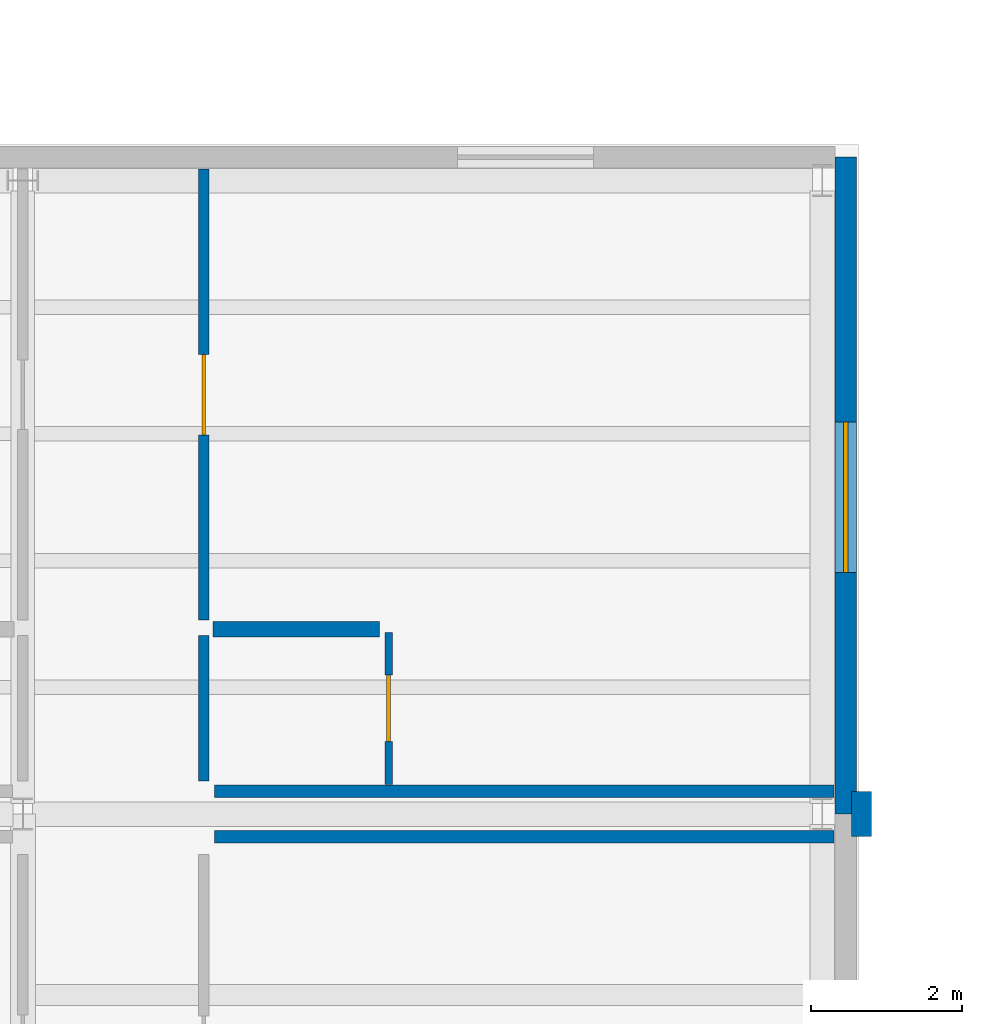
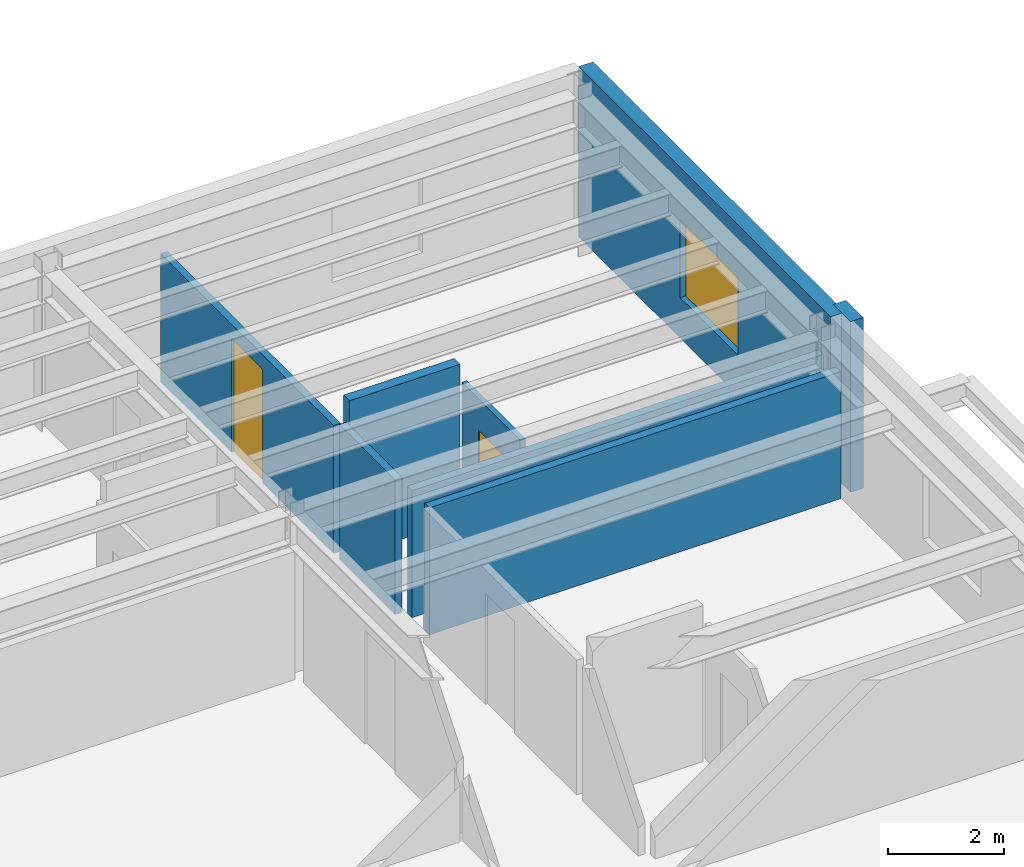
# One storey, part 22 of 27: 8 walls, 2 doors, 1 window, 3 openings.
"""IFC4 building model written with IfcOpenShell, lengths in metres."""

from ifc_helpers import new_model, si_unit, direction, frame, frame_2d, origin, place, context, subcontext, project, spatial, rectangle, extrude, material, layer, layer_set, type_object, element, fill, save


model = new_model("IFC4")

# Units and contexts
model_context = context("Model", 3, precision=1e-05, world=origin(), true_north=direction((0.0, 1.0)))
body_context = subcontext(model_context, "Body", "Model", "MODEL_VIEW")
ifc_project = project(units=[si_unit("LENGTHUNIT", "METRE"), si_unit("AREAUNIT", "SQUARE_METRE"), si_unit("VOLUMEUNIT", "CUBIC_METRE"), si_unit("PLANEANGLEUNIT", "RADIAN"), si_unit("MASSUNIT", "GRAM", prefix="KILO")], contexts=[model_context])

# Site, building, storey
site_placement = place(None, origin())
site = spatial("IfcSite", under=ifc_project, at=site_placement, CompositionType="ELEMENT")
building_placement = place(site_placement, origin())
building = spatial("IfcBuilding", under=site, at=building_placement, Name="Sollismere Congress Hotel", CompositionType="ELEMENT")
storey_placement = place(building_placement, frame((0.0, 0.0, 27.0)))
storey = spatial("IfcBuildingStorey", under=building, at=storey_placement, Name="L06", CompositionType="ELEMENT", Elevation=27.0)

# Wall, opening, window
ifc_material_1 = material(Name="Colorado Buff Sandstone Rainscreen on Insulated Backup", Category="masonry")
ifc_layer_1 = layer(ifc_material_1, 0.284912109375, Name="Colorado Buff Sandstone Rainscreen on Insulated Backup")
ifc_layer_set_1 = layer_set([ifc_layer_1], Name="Colorado Buff Sandstone Rainscreen on Insulated Backup")
wall_type_1 = type_object("IfcWallType", Name="WL-EXT285", PredefinedType="STANDARD", material=ifc_layer_set_1)
wall_1_placement = place(storey_placement, frame((166.31005859375, 58.39990234375, 0.0), z_axis=(0.0, 0.0, 1.0), x_axis=(0.0, 1.0, 0.0)))
wall_1 = element("IfcWall", 1, at=wall_1_placement, inside=storey, type_object=wall_type_1, Name="Exterior wall EW-L06-714", PredefinedType="STANDARD", context=body_context, shape_type="SweptSolid", body=[
    extrude(rectangle(XDim=8.710205078125, YDim=0.284912109375, at=frame_2d((4.35498046875, 0.0))), origin(), (0.0, 0.0, 1.0), 3.60009765625),
])
opening_1_placement = place(wall_1_placement, frame((3.199951171875, 0.0, 0.85009765625)))
opening_1 = element("IfcOpeningElement", 2, at=opening_1_placement, cuts=wall_1, Name="Opening W-L06-520", PredefinedType="OPENING", context=body_context, shape_type="SweptSolid", body=[
    extrude(rectangle(XDim=2.0, YDim=1.64990234375, at=frame_2d((1.0, 0.824951171875))), frame((0.0, 0.15234375, 0.0), z_axis=(0.0, -1.0, 0.0), x_axis=(1.0, 0.0, 0.0)), (0.0, 0.0, 1.0), 0.304931640625),
])
ifc_material_2 = material(Name="Thermally Broken Bronze Aluminum & Low-E Glass", Category="aluminium")
window_type = type_object("IfcWindowType", Name="WN-P200x165", PartitioningType="SINGLE_PANEL", PredefinedType="WINDOW", material=ifc_material_2)
window_placement = place(opening_1_placement, origin())
window = element("IfcWindow", 3, at=window_placement, inside=storey, type_object=window_type, Name="WIN-W-L06-520", OverallHeight=1.64990234375, OverallWidth=2.0, PartitioningType="SINGLE_PANEL", PredefinedType="WINDOW", context=body_context, shape_type="SweptSolid", body=[
    extrude(rectangle(XDim=2.0, YDim=1.64990234375, at=frame_2d((1.0, 0.824951171875))), frame((0.0, 0.030029296875, 0.0), z_axis=(0.0, -1.0, 0.0), x_axis=(1.0, 0.0, 0.0)), (0.0, 0.0, 1.0), 0.06005859375),
])
fill(opening_1, window)

# Walls
ifc_material_3 = material(Name="Carved Travertine Pilaster & Frieze Assembly", Category="masonry")
ifc_layer_2 = layer(ifc_material_3, 0.260009765625, Name="Carved Travertine Pilaster & Frieze Assembly")
ifc_layer_set_2 = layer_set([ifc_layer_2], Name="Carved Travertine Pilaster & Frieze Assembly")
wall_type_2 = type_object("IfcWallType", Name="WL-PIL280", PredefinedType="ELEMENTEDWALL", material=ifc_layer_set_2)
wall_2_placement = place(storey_placement, frame((166.52001953125, 58.10009765625, 0.0), z_axis=(0.0, 0.0, 1.0), x_axis=(0.0, 1.0, 0.0)))
element("IfcWall", 4, at=wall_2_placement, inside=storey, type_object=wall_type_2, Name="Exterior wall EW-L06-715", PredefinedType="ELEMENTEDWALL", context=body_context, shape_type="SweptSolid", body=[
    extrude(rectangle(XDim=0.599853515625, YDim=0.260009765625, at=frame_2d((0.2998046875, 0.0))), origin(), (0.0, 0.0, 1.0), 3.60009765625),
])
ifc_material_4 = material(Name="Moisture-Resistant Shaft Gypsum Assembly")
ifc_layer_3 = layer(ifc_material_4, 0.199951171875, Name="Moisture-Resistant Shaft Gypsum Assembly")
ifc_layer_set_3 = layer_set([ifc_layer_3], Name="Moisture-Resistant Shaft Gypsum Assembly")
wall_type_3 = type_object("IfcWallType", Name="WL-PLM200", PredefinedType="PLUMBINGWALL", material=ifc_layer_set_3)
wall_3_placement = place(storey_placement, frame((157.919921875, 60.85009765625, 0.0), z_axis=(0.0, 0.0, 1.0), x_axis=(1.0, 0.0, 0.0)))
element("IfcWall", 5, at=wall_3_placement, inside=storey, type_object=wall_type_3, Name="Interior wall IW-L06-2181", PredefinedType="PLUMBINGWALL", context=body_context, shape_type="SweptSolid", body=[
    extrude(rectangle(XDim=2.2099609375, YDim=0.199951171875, at=frame_2d((1.10498046875, 0.0))), origin(), (0.0, 0.0, 1.0), 3.2900390625),
])

# Wall, opening, door
ifc_material_5 = material(Name="Moisture-Resistant Gypsum Partition")
ifc_layer_4 = layer(ifc_material_5, 0.10009765625, Name="Moisture-Resistant Gypsum Partition")
ifc_layer_set_4 = layer_set([ifc_layer_4], Name="Moisture-Resistant Gypsum Partition")
wall_type_4 = type_object("IfcWallType", Name="WL-PRT100", PredefinedType="PARTITIONING", material=ifc_layer_set_4)
wall_4_placement = place(storey_placement, frame((160.25, 58.79443359375, 0.0), z_axis=(0.0, 0.0, 1.0), x_axis=(0.0, 1.0, 0.0)))
wall_4 = element("IfcWall", 6, at=wall_4_placement, inside=storey, type_object=wall_type_4, Name="Interior wall IW-L06-2182", PredefinedType="PARTITIONING", context=body_context, shape_type="SweptSolid", body=[
    extrude(rectangle(XDim=2.015625, YDim=0.10009765625, at=frame_2d((1.0078125, 0.0))), origin(), (0.0, 0.0, 1.0), 2.847900390625),
])
opening_2_placement = place(wall_4_placement, frame((0.568115234375, 0.0, 0.0)))
opening_2 = element("IfcOpeningElement", 7, at=opening_2_placement, cuts=wall_4, Name="Opening D-L06-0769", PredefinedType="OPENING", context=body_context, shape_type="SweptSolid", body=[
    extrude(rectangle(XDim=0.8798828125, YDim=2.179931640625, at=frame_2d((0.43994140625, 1.08984375))), frame((0.0, 0.06005859375, 0.0), z_axis=(0.0, -1.0, 0.0), x_axis=(1.0, 0.0, 0.0)), (0.0, 0.0, 1.0), 0.1201171875),
])
ifc_material_6 = material(Name="Moisture-Sealed Timber Bathroom Door", Category="wood")
door_type_1 = type_object("IfcDoorType", Name="DR-BT05", OperationType="NOTDEFINED", PredefinedType="DOOR", material=ifc_material_6)
door_1_placement = place(opening_2_placement, origin())
door_1 = element("IfcDoor", 8, at=door_1_placement, inside=storey, type_object=door_type_1, Name="En-suite bathroom door D-L06-0769", OperationType="SINGLE_SWING_RIGHT", OverallHeight=2.179931640625, OverallWidth=0.8798828125, PredefinedType="DOOR", context=body_context, shape_type="SweptSolid", body=[
    extrude(rectangle(XDim=0.8798828125, YDim=2.179931640625, at=frame_2d((0.43994140625, 1.08984375))), frame((0.0, 0.02490234375, 0.0), z_axis=(0.0, -1.0, 0.0), x_axis=(1.0, 0.0, 0.0)), (0.0, 0.0, 1.0), 0.050048828125),
])
fill(opening_2, door_1)

# Wall
ifc_material_7 = material(Name="Fire-Rated Gypsum Partition")
ifc_layer_5 = layer(ifc_material_7, 0.139892578125, Name="Fire-Rated Gypsum Partition")
ifc_layer_set_5 = layer_set([ifc_layer_5], Name="Fire-Rated Gypsum Partition")
wall_type_5 = type_object("IfcWallType", Name="WL-PRT140R", PredefinedType="PARTITIONING", material=ifc_layer_set_5)
wall_5_placement = place(storey_placement, frame((157.800048828125, 58.840087890625, 0.0), z_axis=(0.0, 0.0, 1.0), x_axis=(0.0, 1.0, 0.0)))
element("IfcWall", 9, at=wall_5_placement, inside=storey, type_object=wall_type_5, Name="Interior wall IW-L06-2178", PredefinedType="PARTITIONING", context=body_context, shape_type="SweptSolid", body=[
    extrude(rectangle(XDim=1.929931640625, YDim=0.139892578125, at=frame_2d((0.96484375, 0.0))), origin(), (0.0, 0.0, 1.0), 2.847900390625),
])

# Wall, opening, door
wall_6_placement = place(storey_placement, frame((157.800048828125, 60.969970703125, 0.0), z_axis=(0.0, 0.0, 1.0), x_axis=(0.0, 1.0, 0.0)))
wall_6 = element("IfcWall", 10, at=wall_6_placement, inside=storey, type_object=wall_type_5, Name="Interior wall IW-L06-2179", PredefinedType="PARTITIONING", context=body_context, shape_type="SweptSolid", body=[
    extrude(rectangle(XDim=5.982421875, YDim=0.139892578125, at=frame_2d((2.9912109375, 0.0))), origin(), (0.0, 0.0, 1.0), 2.702880859375),
])
opening_3_placement = place(wall_6_placement, frame((2.4560546875, 0.0, 0.0)))
opening_3 = element("IfcOpeningElement", 11, at=opening_3_placement, cuts=wall_6, Name="Opening D-L06-0768", PredefinedType="OPENING", context=body_context, shape_type="SweptSolid", body=[
    extrude(rectangle(XDim=1.070068359375, YDim=2.39990234375, at=frame_2d((0.53515625, 1.199951171875))), frame((0.0, 0.079833984375, 0.0), z_axis=(0.0, -1.0, 0.0), x_axis=(1.0, 0.0, 0.0)), (0.0, 0.0, 1.0), 0.159912109375),
])
ifc_material_8 = material(Name="Solid-Core Acoustic Walnut Guestroom Entry Door")
door_type_2 = type_object("IfcDoorType", Name="DR-KY12", OperationType="NOTDEFINED", PredefinedType="DOOR", material=ifc_material_8)
door_2_placement = place(opening_3_placement, origin())
door_2 = element("IfcDoor", 12, at=door_2_placement, inside=storey, type_object=door_type_2, Name="Hotel room entry door D-L06-0768", OperationType="SINGLE_SWING_LEFT", OverallHeight=2.39990234375, OverallWidth=1.070068359375, PredefinedType="DOOR", context=body_context, shape_type="SweptSolid", body=[
    extrude(rectangle(XDim=1.070068359375, YDim=2.39990234375, at=frame_2d((0.53515625, 1.199951171875))), frame((0.0, 0.02490234375, 0.0), z_axis=(0.0, -1.0, 0.0), x_axis=(1.0, 0.0, 0.0)), (0.0, 0.0, 1.0), 0.050048828125),
])
fill(opening_3, door_2)

# Walls
ifc_material_9 = material(Name="Fire-Rated Acoustic Gypsum Partition")
ifc_layer_6 = layer(ifc_material_9, 0.1650390625, Name="Fire-Rated Acoustic Gypsum Partition")
ifc_layer_set_6 = layer_set([ifc_layer_6], Name="Fire-Rated Acoustic Gypsum Partition")
wall_type_6 = type_object("IfcWallType", Name="WL-PRT165R", PredefinedType="PARTITIONING", material=ifc_layer_set_6)
for number, where, z_axis, x_axis, name in (
    (13, (157.93994140625, 58.10009765625, 0.0), (0.0, 0.0, 1.0), (1.0, 0.0, 0.0), "Interior wall IW-L06-2169"),
    (14, (157.93994140625, 58.699951171875, 0.0), (0.0, 0.0, 1.0), (1.0, 0.0, 0.0), "Interior wall IW-L06-2180"),
):
    element("IfcWall", number, at=place(storey_placement, frame(where, z_axis=z_axis, x_axis=x_axis)), inside=storey, type_object=wall_type_6, Name=name, PredefinedType="PARTITIONING", context=body_context, shape_type="SweptSolid", body=[
        extrude(rectangle(XDim=8.212646484375, YDim=0.1650390625, at=frame_2d((4.1064453125, 0.0))), origin(), (0.0, 0.0, 1.0), 2.679931640625),
    ])

save(model, "model.ifc")
